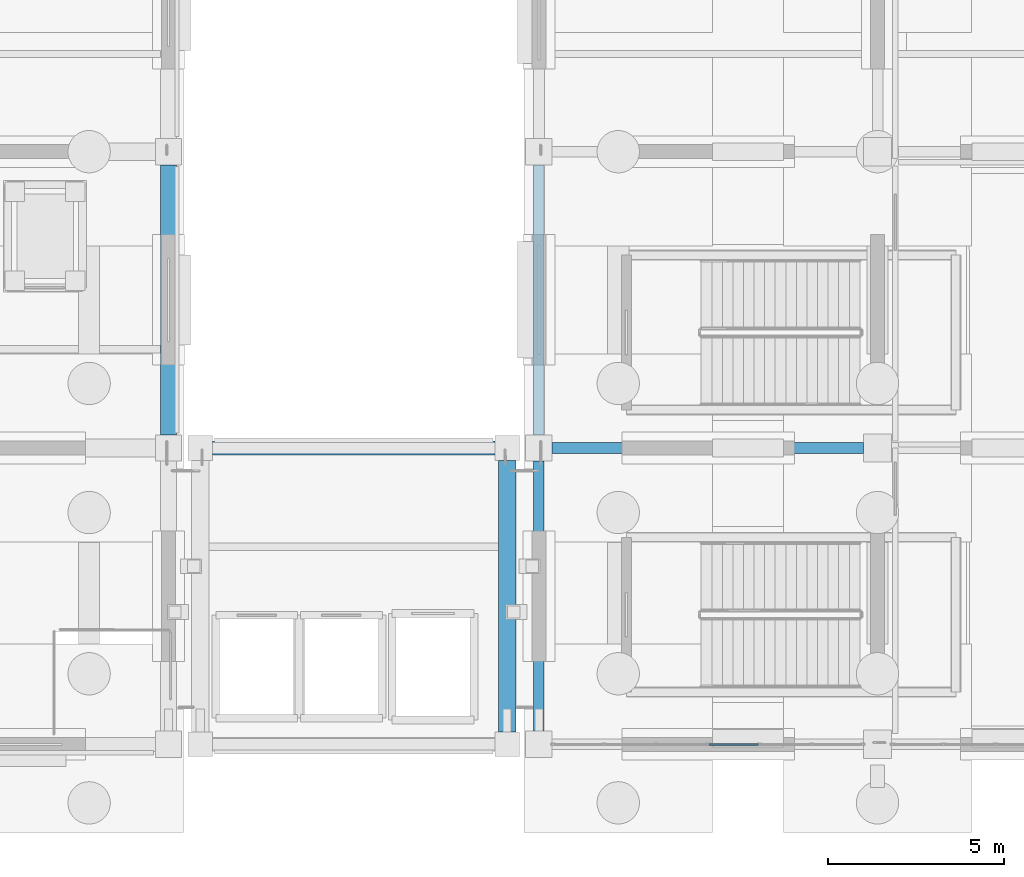
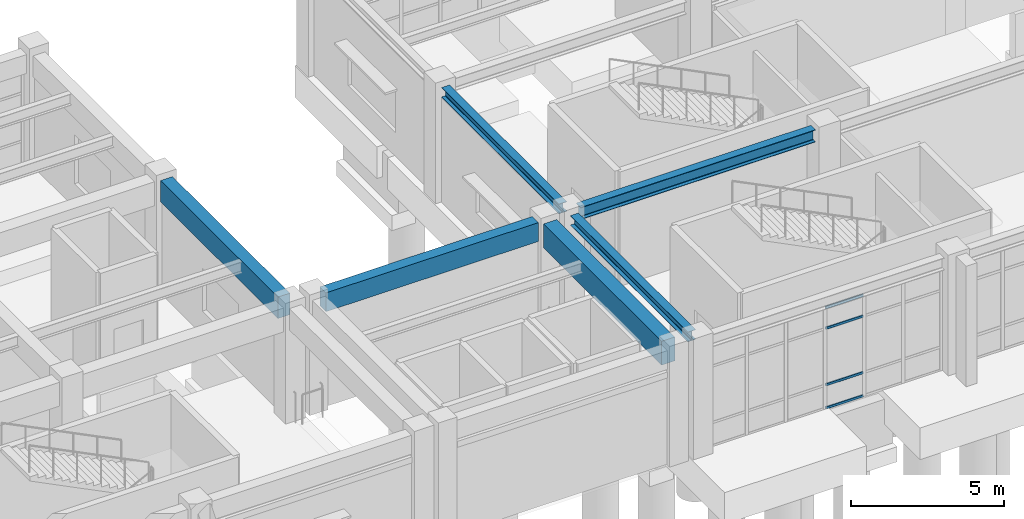
# One storey, part 43 of 111: 6 beams, 4 members, 1 element without a shape of its own.
"""IFC4 building model written with IfcOpenShell, lengths in metres."""

from ifc_helpers import new_model, si_unit, direction, frame, origin, origin_2d, place, context, subcontext, project, spatial, rectangle, hollow_rectangle, i_section, extrude, material, material_profile, profile_set, type_object, element, aggregate, save


model = new_model("IFC4")

# Units and contexts
model_context = context("Model", 3, precision=1e-05, world=origin(), true_north=direction((0.0, 1.0)))
body_context = subcontext(model_context, "Body", "Model", "MODEL_VIEW")
ifc_project = project(units=[si_unit("LENGTHUNIT", "METRE"), si_unit("AREAUNIT", "SQUARE_METRE"), si_unit("VOLUMEUNIT", "CUBIC_METRE"), si_unit("PLANEANGLEUNIT", "RADIAN"), si_unit("MASSUNIT", "GRAM", prefix="KILO")], contexts=[model_context])

# Site, building, storey
site_placement = place(None, origin())
site = spatial("IfcSite", under=ifc_project, at=site_placement, CompositionType="ELEMENT")
building_placement = place(site_placement, origin())
building = spatial("IfcBuilding", under=site, at=building_placement, Name="Canglan Escarpment Cableway Terminal", CompositionType="ELEMENT")
storey_placement = place(building_placement, frame((0.0, 0.0, 4.800048828125)))
storey = spatial("IfcBuildingStorey", under=building, at=storey_placement, Name="L01", CompositionType="ELEMENT", Elevation=4.800048828125)

# Beams
ifc_material_1 = material(Name="Steel Q355B", Category="steel")
ifc_material_profile_1 = material_profile(ifc_material_1, i_section(OverallWidth=0.300048828125, OverallDepth=0.389892578125, WebThickness=0.010009765625, FlangeThickness=0.01611328125, FilletRadius=0.02197265625, at=origin_2d()), Name="HM 390x300x10x16")
ifc_profile_set_1 = profile_set([ifc_material_profile_1], Name="Steel Q355B")
beam_type_1 = type_object("IfcBeamType", Name="BM-ARCH-TOP-HM390", PredefinedType="BEAM", material=ifc_profile_set_1)
beam_1_placement = place(storey_placement, frame((147.199951171875, 8.375, 4.35498046875), z_axis=(0.0, 1.0, 0.0), x_axis=(-1.0, 0.0, 0.0)))
element("IfcBeam", 1, at=beam_1_placement, inside=storey, type_object=beam_type_1, Name="Primary transverse girder AR-TC1", PredefinedType="BEAM", context=body_context, shape_type="SweptSolid", body=[
    extrude(i_section(OverallWidth=0.300048828125, OverallDepth=0.389892578125, WebThickness=0.010009765625, FlangeThickness=0.01611328125, FilletRadius=0.02197265625, at=origin_2d()), origin(), (0.0, 0.0, 1.0), 7.64990234375),
])
beam_2_placement = place(storey_placement, frame((147.199951171875, 16.77490234375, 4.35498046875), z_axis=(0.0, 1.0, 0.0), x_axis=(-1.0, 0.0, 0.0)))
element("IfcBeam", 2, at=beam_2_placement, inside=storey, type_object=beam_type_1, Name="Primary transverse girder AR-TC1", PredefinedType="BEAM", context=body_context, shape_type="SweptSolid", body=[
    extrude(i_section(OverallWidth=0.300048828125, OverallDepth=0.389892578125, WebThickness=0.010009765625, FlangeThickness=0.01611328125, FilletRadius=0.02197265625, at=origin_2d()), origin(), (0.0, 0.0, 1.0), 7.650146484375),
])
ifc_material_profile_2 = material_profile(ifc_material_1, i_section(OverallWidth=0.300048828125, OverallDepth=0.488037109375, WebThickness=0.010986328125, FlangeThickness=0.01806640625, FilletRadius=0.02587890625, at=origin_2d()), Name="HM 488x300x11x18")
ifc_profile_set_2 = profile_set([ifc_material_profile_2], Name="Steel Q355B")
beam_type_2 = type_object("IfcBeamType", Name="BM-HM488", PredefinedType="BEAM", material=ifc_profile_set_2)
beam_3_placement = place(storey_placement, frame((147.574951171875, 16.39990234375, 4.305908203125), z_axis=(1.0, 0.0, 0.0), x_axis=(0.0, 1.0, 0.0)))
element("IfcBeam", 3, at=beam_3_placement, inside=storey, type_object=beam_type_2, Name="Primary structural girder B-09", PredefinedType="BEAM", context=body_context, shape_type="SweptSolid", body=[
    extrude(i_section(OverallWidth=0.300048828125, OverallDepth=0.488037109375, WebThickness=0.010986328125, FlangeThickness=0.01806640625, FilletRadius=0.02587890625, at=origin_2d()), origin(), (0.0, 0.0, 1.0), 8.824951171875),
])
ifc_material_2 = material(Name="Concrete C40", Category="concrete")
ifc_material_profile_3 = material_profile(ifc_material_2, rectangle(XDim=0.449951171875, YDim=0.85009765625, at=origin_2d()), Name="RC 450x850")
ifc_profile_set_3 = profile_set([ifc_material_profile_3], Name="Concrete C40")
beam_type_3 = type_object("IfcBeamType", Name="BM-RC450x850", PredefinedType="BEAM", material=ifc_profile_set_3)
beam_4_placement = place(storey_placement, frame((136.699951171875, 16.77490234375, 4.125), z_axis=(0.0, 1.0, 0.0), x_axis=(-1.0, 0.0, 0.0)))
element("IfcBeam", 4, at=beam_4_placement, inside=storey, type_object=beam_type_3, Name="Primary transverse girder B-02", PredefinedType="BEAM", context=body_context, shape_type="SweptSolid", body=[
    extrude(rectangle(XDim=0.449951171875, YDim=0.85009765625, at=origin_2d()), origin(), (0.0, 0.0, 1.0), 7.650146484375),
])
ifc_material_3 = material(Name="Concrete C50", Category="concrete")
ifc_material_profile_4 = material_profile(ifc_material_3, rectangle(XDim=0.5, YDim=0.949951171875, at=origin_2d()), Name="RC 500x950")
ifc_profile_set_4 = profile_set([ifc_material_profile_4], Name="Concrete C50")
beam_type_4 = type_object("IfcBeamType", Name="BM-RC500x950", PredefinedType="BEAM", material=ifc_profile_set_4)
beam_5_placement = place(storey_placement, frame((146.300048828125, 8.35009765625, 4.074951171875), z_axis=(0.0, 1.0, 0.0), x_axis=(-1.0, 0.0, 0.0)))
element("IfcBeam", 5, at=beam_5_placement, inside=storey, type_object=beam_type_4, Name="Primary transverse girder B-01", PredefinedType="BEAM", context=body_context, shape_type="SweptSolid", body=[
    extrude(rectangle(XDim=0.5, YDim=0.949951171875, at=origin_2d()), origin(), (0.0, 0.0, 1.0), 7.699951171875),
])

# Curtain wall, members
ifc_material_4 = material(Name="Anodized bronze aluminium and Low-E double glazing", Category="aluminium")
curtain_wall_type = type_object("IfcCurtainWallType", Name="CW-BAY-8825x4050", PredefinedType="NOTDEFINED", material=ifc_material_4)
curtain_wall_placement = place(storey_placement, origin())
curtain_wall = element("IfcCurtainWall", 6, at=curtain_wall_placement, inside=storey, type_object=curtain_wall_type, Name="Classical bay-between-piers glazed curtain wall CW-21", PredefinedType="NOTDEFINED")
ifc_material_5 = material(Name="Thermally broken anodized aluminium 6063-T6", Category="aluminium")
ifc_material_profile_5 = material_profile(ifc_material_5, hollow_rectangle(XDim=0.054931640625, YDim=0.094970703125, WallThickness=0.0029296875, InnerFilletRadius=0.0029296875, OuterFilletRadius=0.006103515625, at=origin_2d()), Name="ALU-TRAN 55x95x3")
ifc_profile_set_5 = profile_set([ifc_material_profile_5], Name="Thermally broken anodized aluminium 6063-T6")
member_type = type_object("IfcMemberType", Name="CWT-01", PredefinedType="USERDEFINED", material=ifc_profile_set_5)
member_1_placement = place(storey_placement, frame((152.017578125, 8.0, 0.02734375), z_axis=(1.0, 0.0, 0.0), x_axis=(0.0, 1.0, 0.0)))
member_1 = element("IfcMember", 7, at=member_1_placement, type_object=member_type, Name="CW-21 transom 4.1", ObjectType="TRANSOM", PredefinedType="USERDEFINED", context=body_context, shape_type="SweptSolid", body=[
    extrude(hollow_rectangle(XDim=0.054931640625, YDim=0.094970703125, WallThickness=0.0029296875, InnerFilletRadius=0.0029296875, OuterFilletRadius=0.006103515625, at=origin_2d()), origin(), (0.0, 0.0, 1.0), 1.41064453125),
])
member_2_placement = place(storey_placement, frame((152.017578125, 8.0, 0.949951171875), z_axis=(1.0, 0.0, 0.0), x_axis=(0.0, 1.0, 0.0)))
member_2 = element("IfcMember", 8, at=member_2_placement, type_object=member_type, Name="CW-21 transom 4.2", ObjectType="TRANSOM", PredefinedType="USERDEFINED", context=body_context, shape_type="SweptSolid", body=[
    extrude(hollow_rectangle(XDim=0.054931640625, YDim=0.094970703125, WallThickness=0.0029296875, InnerFilletRadius=0.0029296875, OuterFilletRadius=0.006103515625, at=origin_2d()), origin(), (0.0, 0.0, 1.0), 1.41064453125),
])
member_3_placement = place(storey_placement, frame((152.017578125, 8.0, 3.197021484375), z_axis=(1.0, 0.0, 0.0), x_axis=(0.0, 1.0, 0.0)))
member_3 = element("IfcMember", 9, at=member_3_placement, type_object=member_type, Name="CW-21 transom 4.3", ObjectType="TRANSOM", PredefinedType="USERDEFINED", context=body_context, shape_type="SweptSolid", body=[
    extrude(hollow_rectangle(XDim=0.054931640625, YDim=0.094970703125, WallThickness=0.0029296875, InnerFilletRadius=0.0029296875, OuterFilletRadius=0.006103515625, at=origin_2d()), origin(), (0.0, 0.0, 1.0), 1.41064453125),
])
member_4_placement = place(storey_placement, frame((152.017578125, 8.0, 4.01953125), z_axis=(1.0, 0.0, 0.0), x_axis=(0.0, 1.0, 0.0)))
member_4 = element("IfcMember", 10, at=member_4_placement, type_object=member_type, Name="CW-21 transom 4.4", ObjectType="TRANSOM", PredefinedType="USERDEFINED", context=body_context, shape_type="SweptSolid", body=[
    extrude(hollow_rectangle(XDim=0.054931640625, YDim=0.094970703125, WallThickness=0.0029296875, InnerFilletRadius=0.0029296875, OuterFilletRadius=0.006103515625, at=origin_2d()), origin(), (0.0, 0.0, 1.0), 1.41064453125),
])
aggregate(curtain_wall, [member_1, member_2, member_3, member_4])

# Beam
ifc_material_profile_6 = material_profile(ifc_material_2, rectangle(XDim=0.39990234375, YDim=0.75, at=origin_2d()), Name="RC 400x750")
ifc_profile_set_6 = profile_set([ifc_material_profile_6], Name="Concrete C40")
beam_type_5 = type_object("IfcBeamType", Name="SP-RC400x750", PredefinedType="SPANDREL", material=ifc_profile_set_6)
beam_6_placement = place(storey_placement, frame((137.949951171875, 16.39990234375, 4.175048828125), z_axis=(1.0, 0.0, 0.0), x_axis=(0.0, 1.0, 0.0)))
element("IfcBeam", 11, at=beam_6_placement, inside=storey, type_object=beam_type_5, Name="Primary structural girder SP-01", PredefinedType="SPANDREL", context=body_context, shape_type="SweptSolid", body=[
    extrude(rectangle(XDim=0.39990234375, YDim=0.75, at=origin_2d()), origin(), (0.0, 0.0, 1.0), 8.0),
])

save(model, "model.ifc")
